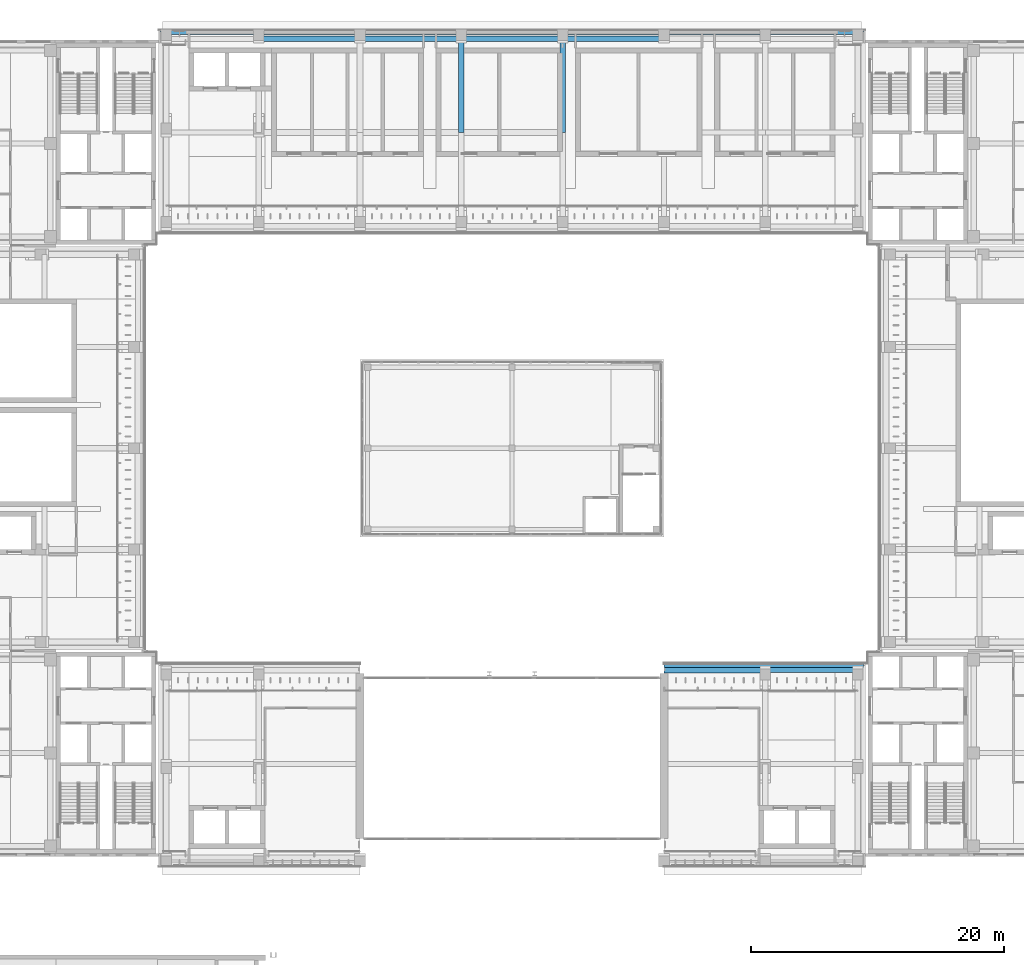
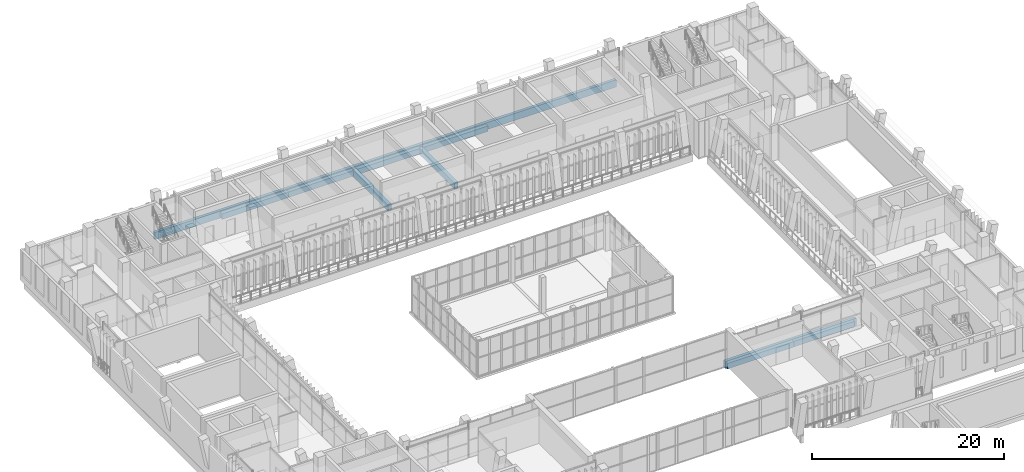
# One storey, part 37 of 92: 10 beams.
"""IFC4 building model written with IfcOpenShell, lengths in metres."""

from ifc_helpers import new_model, si_unit, direction, frame, origin, origin_2d, place, context, subcontext, project, spatial, rectangle, extrude, material, material_profile, profile_set, type_object, element, save


model = new_model("IFC4")

# Units and contexts
model_context = context("Model", 3, precision=1e-05, world=origin(), true_north=direction((0.0, 1.0)))
body_context = subcontext(model_context, "Body", "Model", "MODEL_VIEW")
ifc_project = project(units=[si_unit("LENGTHUNIT", "METRE"), si_unit("AREAUNIT", "SQUARE_METRE"), si_unit("VOLUMEUNIT", "CUBIC_METRE"), si_unit("PLANEANGLEUNIT", "RADIAN"), si_unit("MASSUNIT", "GRAM", prefix="KILO")], contexts=[model_context])

# Site, building, storey
site_placement = place(None, origin())
site = spatial("IfcSite", under=ifc_project, at=site_placement, CompositionType="ELEMENT")
building_placement = place(site_placement, origin())
building = spatial("IfcBuilding", under=site, at=building_placement, Name="Lantern Court Media Centre", CompositionType="ELEMENT")
storey_placement = place(building_placement, frame((0.0, 0.0, 4.800048828125)))
storey = spatial("IfcBuildingStorey", under=building, at=storey_placement, Name="L01", CompositionType="ELEMENT", Elevation=4.800048828125)

# Beams
ifc_material = material(Name="Concrete C35", Category="concrete")
ifc_material_profile_1 = material_profile(ifc_material, rectangle(XDim=0.35009765625, YDim=0.89990234375, at=origin_2d()), Name="RC 350x900")
ifc_profile_set_1 = profile_set([ifc_material_profile_1], Name="Concrete C35")
beam_type_1 = type_object("IfcBeamType", Name="RC BEAM 350x900", PredefinedType="BEAM", material=ifc_profile_set_1)
beam_1_placement = place(storey_placement, frame((64.0, 62.85009765625, -0.449951171875), z_axis=(1.0, 0.0, 0.0), x_axis=(0.0, 1.0, 0.0)))
element("IfcBeam", 1, at=beam_1_placement, inside=storey, type_object=beam_type_1, Name="EB-S-L01-B1", PredefinedType="BEAM", context=body_context, shape_type="SweptSolid", body=[
    extrude(rectangle(XDim=0.35009765625, YDim=0.89990234375, at=origin_2d()), origin(), (0.0, 0.0, 1.0), 15.75),
])
beam_2_placement = place(storey_placement, frame((24.25, 112.85009765625, -0.449951171875), z_axis=(1.0, 0.0, 0.0), x_axis=(0.0, 1.0, 0.0)))
element("IfcBeam", 2, at=beam_2_placement, inside=storey, type_object=beam_type_1, Name="EB-N-L01-B", PredefinedType="BEAM", context=body_context, shape_type="SweptSolid", body=[
    extrude(rectangle(XDim=0.35009765625, YDim=0.89990234375, at=origin_2d()), origin(), (0.0, 0.0, 1.0), 55.5),
])
ifc_material_profile_2 = material_profile(ifc_material, rectangle(XDim=0.39990234375, YDim=0.699951171875, at=origin_2d()), Name="RC 400x700")
ifc_profile_set_2 = profile_set([ifc_material_profile_2], Name="Concrete C35")
beam_type_2 = type_object("IfcBeamType", Name="RC BEAM 400x700", PredefinedType="BEAM", material=ifc_profile_set_2)
beam_3_placement = place(storey_placement, frame((72.0, 62.472900390625, -0.35009765625), z_axis=(1.0, 0.0, 0.0), x_axis=(0.0, 1.0, 0.0)))
element("IfcBeam", 3, at=beam_3_placement, inside=storey, type_object=beam_type_2, Name="LB-S-L01-2-6", PredefinedType="BEAM", context=body_context, shape_type="SweptSolid", body=[
    extrude(rectangle(XDim=0.39990234375, YDim=0.699951171875, at=origin_2d()), origin(), (0.0, 0.0, 1.0), 7.300048828125),
])
ifc_material_profile_3 = material_profile(ifc_material, rectangle(XDim=0.449951171875, YDim=0.699951171875, at=origin_2d()), Name="RC 450x700")
ifc_profile_set_3 = profile_set([ifc_material_profile_3], Name="Concrete C35")
beam_type_3 = type_object("IfcBeamType", Name="RC BEAM 450x700", PredefinedType="BEAM", material=ifc_profile_set_3)
for number, where, z_axis, x_axis, name in (
    (4, (64.0, 62.472900390625, -0.35009765625), (1.0, 0.0, 0.0), (0.0, 1.0, 0.0), "LB-S-L01-2-5"),
    (5, (32.0, 112.3271484375, -0.35009765625), (1.0, 0.0, 0.0), (0.0, 1.0, 0.0), "LB-N-L01-2-1"),
    (6, (40.0, 112.3271484375, -0.35009765625), (1.0, 0.0, 0.0), (0.0, 1.0, 0.0), "LB-N-L01-2-2"),
    (7, (48.0, 112.3271484375, -0.35009765625), (1.0, 0.0, 0.0), (0.0, 1.0, 0.0), "LB-N-L01-2-3"),
    (8, (56.0, 112.3271484375, -0.35009765625), (1.0, 0.0, 0.0), (0.0, 1.0, 0.0), "LB-N-L01-2-4"),
):
    element("IfcBeam", number, at=place(storey_placement, frame(where, z_axis=z_axis, x_axis=x_axis)), inside=storey, type_object=beam_type_3, Name=name, PredefinedType="BEAM", context=body_context, shape_type="SweptSolid", body=[
        extrude(rectangle(XDim=0.449951171875, YDim=0.699951171875, at=origin_2d()), origin(), (0.0, 0.0, 1.0), 8.0),
    ])
ifc_material_profile_4 = material_profile(ifc_material, rectangle(XDim=0.449951171875, YDim=0.800048828125, at=origin_2d()), Name="RC 450x800")
ifc_profile_set_4 = profile_set([ifc_material_profile_4], Name="Concrete C35")
beam_type_4 = type_object("IfcBeamType", Name="RC BEAM 450x800", PredefinedType="BEAM", material=ifc_profile_set_4)
for number, where, z_axis, x_axis, name in (
    (9, (48.0, 104.916748046875, -0.400146484375), (0.0, 1.0, 0.0), (-1.0, 0.0, 0.0), "TB-N-L01-3-2"),
    (10, (56.0, 104.916748046875, -0.400146484375), (0.0, 1.0, 0.0), (-1.0, 0.0, 0.0), "TB-N-L01-4-2"),
):
    element("IfcBeam", number, at=place(storey_placement, frame(where, z_axis=z_axis, x_axis=x_axis)), inside=storey, type_object=beam_type_4, Name=name, PredefinedType="BEAM", context=body_context, shape_type="SweptSolid", body=[
        extrude(rectangle(XDim=0.449951171875, YDim=0.800048828125, at=origin_2d()), origin(), (0.0, 0.0, 1.0), 7.39990234375),
    ])

save(model, "model.ifc")
